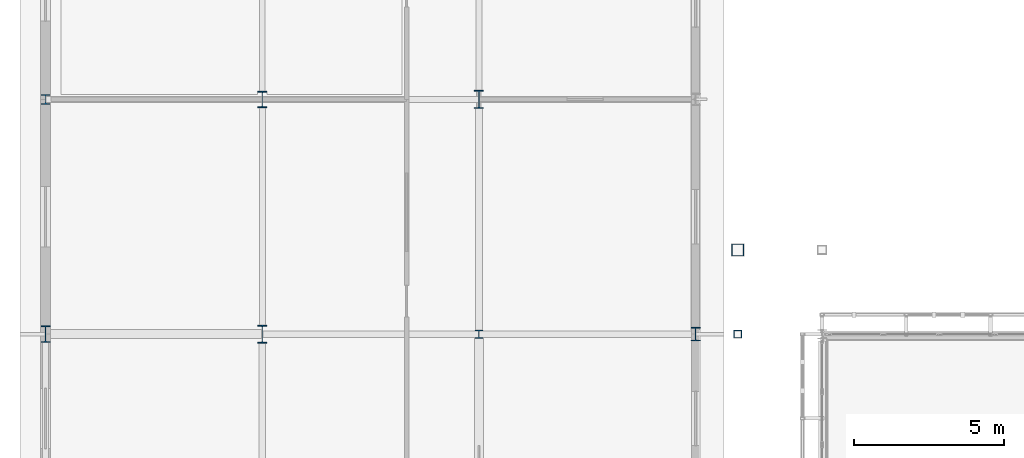
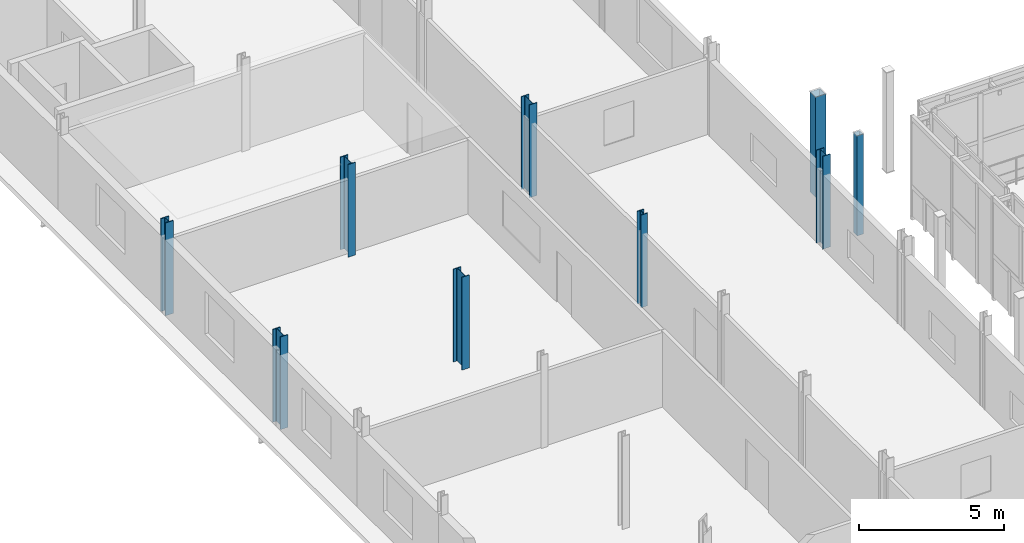
# One storey, part 7 of 78: 9 columns.
"""IFC4 building model written with IfcOpenShell, lengths in metres."""

from ifc_helpers import new_model, si_unit, direction, frame, origin, origin_2d, place, context, subcontext, project, spatial, hollow_rectangle, i_section, extrude, material, material_profile, profile_set, type_object, element, save


model = new_model("IFC4")

# Units and contexts
model_context = context("Model", 3, precision=1e-05, world=origin(), true_north=direction((0.0, 1.0)))
body_context = subcontext(model_context, "Body", "Model", "MODEL_VIEW")
ifc_project = project(units=[si_unit("LENGTHUNIT", "METRE"), si_unit("AREAUNIT", "SQUARE_METRE"), si_unit("VOLUMEUNIT", "CUBIC_METRE"), si_unit("PLANEANGLEUNIT", "RADIAN"), si_unit("MASSUNIT", "GRAM", prefix="KILO")], contexts=[model_context])

# Site, building, storey
site_placement = place(None, origin())
site = spatial("IfcSite", under=ifc_project, at=site_placement, CompositionType="ELEMENT")
building_placement = place(site_placement, origin())
building = spatial("IfcBuilding", under=site, at=building_placement, Name="Vinh Khe Railworks Police Headquarters", CompositionType="ELEMENT")
storey_placement = place(building_placement, frame((0.0, 0.0, 13.199951171875)))
storey = spatial("IfcBuildingStorey", under=building, at=storey_placement, Name="L03", CompositionType="ELEMENT", Elevation=13.199951171875)

# Columns
ifc_material = material(Name="Steel S355JR", Category="steel")
ifc_material_profile_1 = material_profile(ifc_material, i_section(OverallWidth=0.300048828125, OverallDepth=0.449951171875, WebThickness=0.013916015625, FlangeThickness=0.02587890625, FilletRadius=0.027099609375, at=origin_2d()), Name="HEB 450")
ifc_profile_set_1 = profile_set([ifc_material_profile_1], Name="Steel S355JR")
column_type_1 = type_object("IfcColumnType", Name="Steel Column HEB 450", PredefinedType="COLUMN", material=ifc_profile_set_1)
column_1_placement = place(storey_placement, frame((22.199951171875, 58.800048828125, 0.0), z_axis=(0.0, 0.0, 1.0), x_axis=(1.0, 0.0, 0.0)))
element("IfcColumn", 1, at=column_1_placement, inside=storey, type_object=column_type_1, Name="Column COL-L03-SC-07-0575", PredefinedType="COLUMN", context=body_context, shape_type="SweptSolid", body=[
    extrude(i_section(OverallWidth=0.300048828125, OverallDepth=0.449951171875, WebThickness=0.013916015625, FlangeThickness=0.02587890625, FilletRadius=0.027099609375, at=origin_2d()), origin(), (0.0, 0.0, 1.0), 3.900146484375),
])
ifc_material_profile_2 = material_profile(ifc_material, i_section(OverallWidth=0.300048828125, OverallDepth=0.550048828125, WebThickness=0.014892578125, FlangeThickness=0.029052734375, FilletRadius=0.027099609375, at=origin_2d()), Name="HEB 550")
ifc_profile_set_2 = profile_set([ifc_material_profile_2], Name="Steel S355JR")
column_type_2 = type_object("IfcColumnType", Name="Steel Column HEB 550", PredefinedType="COLUMN", material=ifc_profile_set_2)
for number, where, z_axis, x_axis, name in (
    (2, (0.60009765625, 58.800048828125, 0.0), (0.0, 0.0, 1.0), (1.0, 0.0, 0.0), "Column COL-L03-SC-05-0081"),
    (3, (7.800048828125, 66.60009765625, 0.0), (0.0, 0.0, 1.0), (1.0, 0.0, 0.0), "Column COL-L03-SC-05-0258"),
):
    element("IfcColumn", number, at=place(storey_placement, frame(where, z_axis=z_axis, x_axis=x_axis)), inside=storey, type_object=column_type_2, Name=name, PredefinedType="COLUMN", context=body_context, shape_type="SweptSolid", body=[
        extrude(i_section(OverallWidth=0.300048828125, OverallDepth=0.550048828125, WebThickness=0.014892578125, FlangeThickness=0.029052734375, FilletRadius=0.027099609375, at=origin_2d()), origin(), (0.0, 0.0, 1.0), 3.900146484375),
    ])
ifc_material_profile_3 = material_profile(ifc_material, i_section(OverallWidth=0.300048828125, OverallDepth=0.60009765625, WebThickness=0.015380859375, FlangeThickness=0.030029296875, FilletRadius=0.027099609375, at=origin_2d()), Name="HEB 600")
ifc_profile_set_3 = profile_set([ifc_material_profile_3], Name="Steel S355JR")
column_type_3 = type_object("IfcColumnType", Name="Steel Column HEB 600", PredefinedType="COLUMN", material=ifc_profile_set_3)
for number, where, z_axis, x_axis, name in (
    (4, (7.800048828125, 58.800048828125, 0.0), (0.0, 0.0, 1.0), (1.0, 0.0, 0.0), "Column COL-L03-SC-04-0248"),
    (5, (15.0, 66.60009765625, 0.0), (0.0, 0.0, 1.0), (1.0, 0.0, 0.0), "Column COL-L03-SC-04-0425"),
):
    element("IfcColumn", number, at=place(storey_placement, frame(where, z_axis=z_axis, x_axis=x_axis)), inside=storey, type_object=column_type_3, Name=name, PredefinedType="COLUMN", context=body_context, shape_type="SweptSolid", body=[
        extrude(i_section(OverallWidth=0.300048828125, OverallDepth=0.60009765625, WebThickness=0.015380859375, FlangeThickness=0.030029296875, FilletRadius=0.027099609375, at=origin_2d()), origin(), (0.0, 0.0, 1.0), 3.900146484375),
    ])
ifc_material_profile_4 = material_profile(ifc_material, i_section(OverallWidth=0.26806640625, OverallDepth=0.2900390625, WebThickness=0.01806640625, FlangeThickness=0.032470703125, FilletRadius=0.02392578125, at=origin_2d()), Name="HEM 260")
ifc_profile_set_4 = profile_set([ifc_material_profile_4], Name="Steel S355JR")
column_type_4 = type_object("IfcColumnType", Name="Steel Column HEM 260", PredefinedType="COLUMN", material=ifc_profile_set_4)
column_2_placement = place(storey_placement, frame((15.0, 58.800048828125, 0.0), z_axis=(0.0, 0.0, 1.0), x_axis=(1.0, 0.0, 0.0)))
element("IfcColumn", 6, at=column_2_placement, inside=storey, type_object=column_type_4, Name="Column COL-L03-SC-03-0415", PredefinedType="COLUMN", context=body_context, shape_type="SweptSolid", body=[
    extrude(i_section(OverallWidth=0.26806640625, OverallDepth=0.2900390625, WebThickness=0.01806640625, FlangeThickness=0.032470703125, FilletRadius=0.02392578125, at=origin_2d()), origin(), (0.0, 0.0, 1.0), 3.900146484375),
])
ifc_material_profile_5 = material_profile(ifc_material, i_section(OverallWidth=0.31005859375, OverallDepth=0.340087890625, WebThickness=0.02099609375, FlangeThickness=0.0390625, FilletRadius=0.027099609375, at=origin_2d()), Name="HEM 300")
ifc_profile_set_5 = profile_set([ifc_material_profile_5], Name="Steel S355JR")
column_type_5 = type_object("IfcColumnType", Name="Steel Column HEM 300", PredefinedType="COLUMN", material=ifc_profile_set_5)
column_3_placement = place(storey_placement, frame((0.60009765625, 66.60009765625, 0.0), z_axis=(0.0, 0.0, 1.0), x_axis=(1.0, 0.0, 0.0)))
element("IfcColumn", 7, at=column_3_placement, inside=storey, type_object=column_type_5, Name="Column COL-L03-SC-01-0091", PredefinedType="COLUMN", context=body_context, shape_type="SweptSolid", body=[
    extrude(i_section(OverallWidth=0.31005859375, OverallDepth=0.340087890625, WebThickness=0.02099609375, FlangeThickness=0.0390625, FilletRadius=0.027099609375, at=origin_2d()), origin(), (0.0, 0.0, 1.0), 3.900146484375),
])
ifc_material_profile_6 = material_profile(ifc_material, hollow_rectangle(XDim=0.25, YDim=0.25, WallThickness=0.012451171875, at=origin_2d()), Name="SHS 250x250x12.5")
ifc_profile_set_6 = profile_set([ifc_material_profile_6], Name="Steel S355JR")
column_type_6 = type_object("IfcColumnType", Name="Steel Column SHS 250x250x12.5", PredefinedType="COLUMN", material=ifc_profile_set_6)
column_4_placement = place(storey_placement, frame((23.60009765625, 58.800048828125, 0.0), z_axis=(0.0, 0.0, 1.0), x_axis=(1.0, 0.0, 0.0)))
element("IfcColumn", 8, at=column_4_placement, inside=storey, type_object=column_type_6, Name="Column COL-L03-SC-24-0694", PredefinedType="COLUMN", context=body_context, shape_type="SweptSolid", body=[
    extrude(hollow_rectangle(XDim=0.25, YDim=0.25, WallThickness=0.012451171875, at=origin_2d()), origin(), (0.0, 0.0, 1.0), 4.199951171875),
])
ifc_material_profile_7 = material_profile(ifc_material, hollow_rectangle(XDim=0.39990234375, YDim=0.39990234375, WallThickness=0.02001953125, at=origin_2d()), Name="SHS 400x400x20")
ifc_profile_set_7 = profile_set([ifc_material_profile_7], Name="Steel S355JR")
column_type_7 = type_object("IfcColumnType", Name="Steel Column SHS 400x400x20", PredefinedType="COLUMN", material=ifc_profile_set_7)
column_5_placement = place(storey_placement, frame((23.60009765625, 61.60009765625, 0.0), z_axis=(0.0, 0.0, 1.0), x_axis=(1.0, 0.0, 0.0)))
element("IfcColumn", 9, at=column_5_placement, inside=storey, type_object=column_type_7, Name="Column COL-L03-SC-21-0699", PredefinedType="COLUMN", context=body_context, shape_type="SweptSolid", body=[
    extrude(hollow_rectangle(XDim=0.39990234375, YDim=0.39990234375, WallThickness=0.02001953125, at=origin_2d()), origin(), (0.0, 0.0, 1.0), 4.199951171875),
])

save(model, "model.ifc")
